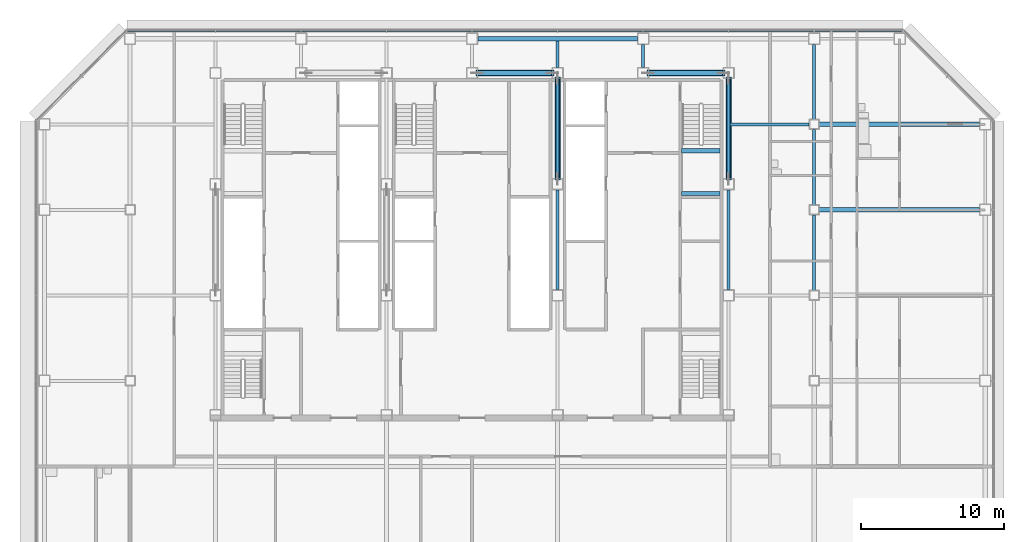
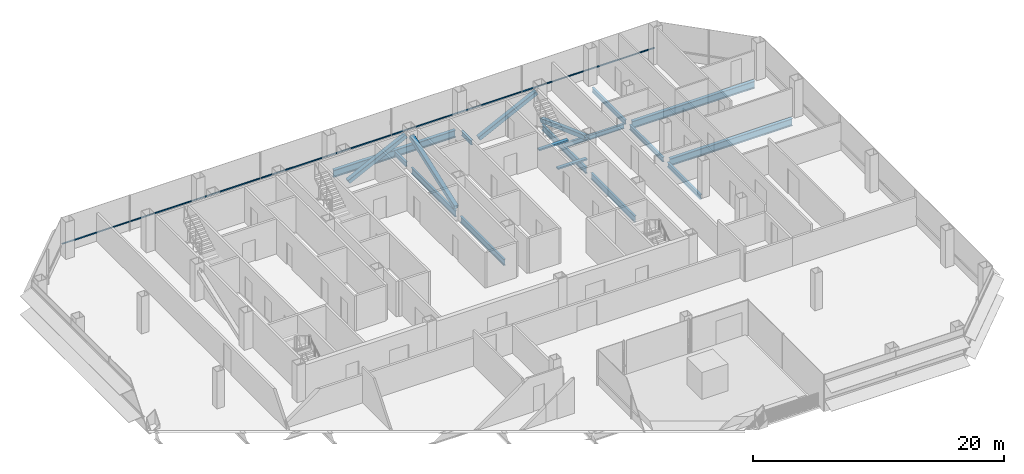
# One storey, part 12 of 26: 15 beams, 5 members, 1 element without a shape of its own.
"""IFC4 building model written with IfcOpenShell, lengths in metres."""

import ifcopenshell
import ifcopenshell.guid

model = None  # the IFC model being written
_history = None  # IfcOwnerHistory: only IFC2X3 demands one
_inside = {}  # id of a spatial element -> (the spatial element, [elements in it])
_under = {}  # id of a project, library or spatial element -> (it, [spatial elements below it])
_declared = {}  # id of a project -> (the project, [libraries it declares])
_typed = {}  # id of a type object -> (the type object, [elements of that type])
_made_of = {}  # id of a material, layer set ... -> (it, [elements and type objects made of it])


def new_model(schema):
    """Start an empty IFC model of exactly this schema.

    Asked for "IFC4X3", IfcOpenShell would pick the latest addendum, in which some entities
    have other attributes; the version numbers below select the first issue.
    IFC2X3 requires an IfcOwnerHistory on every rooted entity: one is made here for all.
    """
    global model, _history
    if schema == "IFC4X3":
        model = ifcopenshell.file(schema_version=(4, 3, 0, 0))
    else:
        model = ifcopenshell.file(schema=schema)
    _inside.clear()
    _under.clear()
    _declared.clear()
    _typed.clear()
    _made_of.clear()
    _history = None
    if model.schema == "IFC2X3":
        org = make("IfcOrganization", Name="unknown")
        user = make(
            "IfcPersonAndOrganization",
            ThePerson=make("IfcPerson", FamilyName="unknown"),
            TheOrganization=org,
        )
        app = make(
            "IfcApplication",
            ApplicationDeveloper=org,
            Version="unknown",
            ApplicationFullName="unknown",
            ApplicationIdentifier="unknown",
        )
        _history = make(
            "IfcOwnerHistory",
            OwningUser=user,
            OwningApplication=app,
            ChangeAction="ADDED",
            CreationDate=0,
        )
    return model


def make(cls, **values):
    """One entity of the class cls with the attributes given. An attribute that is None is left unset."""
    return model.create_entity(
        cls, **{name: value for name, value in values.items() if value is not None}
    )


def rooted(cls, **values):
    """An entity with a GlobalId (a new one), such as an element, a storey or a relation."""
    return make(cls, GlobalId=ifcopenshell.guid.new(), OwnerHistory=_history, **values)


def si_unit(unit_type, name, prefix=None):
    """IfcSIUnit, for example si_unit("LENGTHUNIT", "METRE", prefix="MILLI")."""
    return make("IfcSIUnit", UnitType=unit_type, Prefix=prefix, Name=name)


def assignment(units):
    """IfcUnitAssignment: the units of a project."""
    return None if units is None else make("IfcUnitAssignment", Units=units)


def point(xyz):
    """IfcCartesianPoint."""
    return None if xyz is None else make("IfcCartesianPoint", Coordinates=xyz)


def direction(xyz):
    """IfcDirection."""
    return None if xyz is None else make("IfcDirection", DirectionRatios=xyz)


def frame(location, z_axis=None, x_axis=None):
    """IfcAxis2Placement3D, a coordinate frame: its origin and axes. An axis left out is left unset."""
    return make(
        "IfcAxis2Placement3D",
        Location=point(location),
        Axis=direction(z_axis),
        RefDirection=direction(x_axis),
    )


def frame_2d(location, x_axis=None):
    """IfcAxis2Placement2D, a coordinate frame in the plane: its origin and x axis."""
    return make(
        "IfcAxis2Placement2D", Location=point(location), RefDirection=direction(x_axis)
    )


def origin():
    """The frame at (0, 0, 0) with its axes left unset."""
    return frame((0.0, 0.0, 0.0))


def origin_2d():
    """The frame at (0, 0) in the plane with its x axis left unset."""
    return frame_2d((0.0, 0.0))


def place(relative_to, where):
    """IfcLocalPlacement: puts the frame where relative to a parent placement (None: the world)."""
    return make(
        "IfcLocalPlacement", PlacementRelTo=relative_to, RelativePlacement=where
    )


def context(
    kind, dimensions, precision=None, world=None, true_north=None, identifier=None
):
    """IfcGeometricRepresentationContext, for example the 3D "Model" context."""
    return make(
        "IfcGeometricRepresentationContext",
        ContextIdentifier=identifier,
        ContextType=kind,
        CoordinateSpaceDimension=dimensions,
        Precision=precision,
        WorldCoordinateSystem=world,
        TrueNorth=true_north,
    )


def subcontext(parent, identifier, kind, view, scale=None):
    """IfcGeometricRepresentationSubContext, for example "Body" below "Model"."""
    return make(
        "IfcGeometricRepresentationSubContext",
        ContextIdentifier=identifier,
        ContextType=kind,
        ParentContext=parent,
        TargetScale=scale,
        TargetView=view,
    )


def project(units=None, contexts=None):
    """IfcProject with its units and contexts."""
    return rooted(
        "IfcProject",
        Name="project",
        RepresentationContexts=contexts,
        UnitsInContext=assignment(units),
    )


def spatial(cls, under=None, at=None, **own):
    """A site, building, storey or space (cls), placed at a placement, below another one or the project."""
    s = rooted(cls, ObjectPlacement=at, **own)
    if under is not None:
        _under.setdefault(under.id(), (under, []))[1].append(s)
    return s


def profile(cls, at=None, kind="AREA", **sizes):
    """A parametric profile (cls). Its sizes go by their IFC names, for example OverallWidth=200.0."""
    return make(cls, ProfileType=kind, Position=at, **sizes)


def rectangle(**sizes):
    """IfcRectangleProfileDef."""
    return profile("IfcRectangleProfileDef", **sizes)


def hollow_rectangle(**sizes):
    """IfcRectangleHollowProfileDef."""
    return profile("IfcRectangleHollowProfileDef", **sizes)


def i_section(**sizes):
    """IfcIShapeProfileDef."""
    return profile("IfcIShapeProfileDef", **sizes)


def extrude(swept, where, along, depth):
    """IfcExtrudedAreaSolid: the profile swept, set in the frame where, extruded along a direction by depth."""
    return make(
        "IfcExtrudedAreaSolid",
        SweptArea=swept,
        Position=where,
        ExtrudedDirection=direction(along),
        Depth=depth,
    )


def shape(context_of_items, identifier, shape_type, items):
    """IfcShapeRepresentation: the items that make up one representation, for example the "Body"."""
    return make(
        "IfcShapeRepresentation",
        ContextOfItems=context_of_items,
        RepresentationIdentifier=identifier,
        RepresentationType=shape_type,
        Items=items,
    )


def material(Name=None, Category=None):
    """IfcMaterial."""
    return make("IfcMaterial", Name=Name, Category=Category)


def material_profile(
    of_material, cross_section, Name=None, Category=None, Priority=None
):
    """IfcMaterialProfile: a cross section and its material."""
    return make(
        "IfcMaterialProfile",
        Name=Name,
        Material=of_material,
        Profile=cross_section,
        Priority=Priority,
        Category=Category,
    )


def profile_set(profiles, Name=None, composite=None):
    """IfcMaterialProfileSet."""
    return make(
        "IfcMaterialProfileSet",
        Name=Name,
        MaterialProfiles=profiles,
        CompositeProfile=composite,
    )


def made_of(thing, what):
    """Note that an element or type object is made of a material, layer set ...; save() writes the relation."""
    if what is not None:
        _made_of.setdefault(what.id(), (what, []))[1].append(thing)
    return thing


def type_object(cls, material=None, **own):
    """A type object (cls), such as IfcWallType, which elements share."""
    return made_of(rooted(cls, **own), material)


def element(
    cls,
    number,
    at=None,
    inside=None,
    cuts=None,
    type_object=None,
    material=None,
    context=None,
    identifier="Body",
    shape_type=None,
    held_by="IfcProductDefinitionShape",
    body=None,
    shapes=None,
    **own,
):
    """One element of the class cls, such as IfcWall. Its Tag is "e" and its number.

    at: its placement. inside: the storey or other place that contains it. cuts: it is an
    opening in that element (IfcRelVoidsElement). A single representation is given by context,
    identifier, shape_type and body (its items); several are given by shapes. held_by: the class
    of the entity that holds the representations. save() writes the other relations.
    """
    e = rooted(cls, Tag="e%d" % number, ObjectPlacement=at, **own)
    if body is not None:
        shapes = [shape(context, identifier, shape_type, body)]
    if shapes is not None:
        e.Representation = make(held_by, Representations=shapes)
    if inside is not None:
        _inside.setdefault(inside.id(), (inside, []))[1].append(e)
    if cuts is not None:
        rooted(
            "IfcRelVoidsElement", RelatingBuildingElement=cuts, RelatedOpeningElement=e
        )
    if type_object is not None:
        _typed.setdefault(type_object.id(), (type_object, []))[1].append(e)
    return made_of(e, material)


def aggregate(whole, parts):
    """IfcRelAggregates: a whole, such as a stair, and the parts it consists of."""
    return rooted("IfcRelAggregates", RelatingObject=whole, RelatedObjects=parts)


def save(model, path):
    """Write the relations noted so far, then the file.

    IfcRelAggregates (storeys below a building ...), IfcRelContainedInSpatialStructure (elements
    in a storey), IfcRelDefinesByType, IfcRelAssociatesMaterial and IfcRelDeclares: one each for
    every whole, place, type object, material and project.
    """
    for whole, parts in _under.values():
        aggregate(whole, parts)
    for where, things in _inside.values():
        rooted(
            "IfcRelContainedInSpatialStructure",
            RelatedElements=things,
            RelatingStructure=where,
        )
    for kind, things in _typed.values():
        rooted("IfcRelDefinesByType", RelatedObjects=things, RelatingType=kind)
    for what, things in _made_of.values():
        rooted("IfcRelAssociatesMaterial", RelatedObjects=things, RelatingMaterial=what)
    for by, libraries in _declared.values():
        rooted("IfcRelDeclares", RelatingContext=by, RelatedDefinitions=libraries)
    model.write(path)


model = new_model("IFC4")

# Units and contexts
model_context = context("Model", 3, precision=1e-05, world=origin(), true_north=direction((0.0, 1.0)))
body_context = subcontext(model_context, "Body", "Model", "MODEL_VIEW")
ifc_project = project(units=[si_unit("LENGTHUNIT", "METRE"), si_unit("AREAUNIT", "SQUARE_METRE"), si_unit("VOLUMEUNIT", "CUBIC_METRE"), si_unit("PLANEANGLEUNIT", "RADIAN"), si_unit("MASSUNIT", "GRAM", prefix="KILO")], contexts=[model_context])

# Site, building, storey
site_placement = place(None, origin())
site = spatial("IfcSite", under=ifc_project, at=site_placement, CompositionType="ELEMENT")
building_placement = place(site_placement, origin())
building = spatial("IfcBuilding", under=site, at=building_placement, Name="Sorahane Residences", CompositionType="ELEMENT")
storey_placement = place(building_placement, frame((0.0, 0.0, 103.39990234375)))
storey = spatial("IfcBuildingStorey", under=building, at=storey_placement, Name="L22", CompositionType="ELEMENT", Elevation=103.39990234375)

# Members
ifc_material_1 = material(Name="Steel Q355B", Category="steel")
ifc_material_profile_1 = material_profile(ifc_material_1, hollow_rectangle(XDim=0.39990234375, YDim=0.39990234375, WallThickness=0.02001953125, InnerFilletRadius=0.010009765625, OuterFilletRadius=0.030029296875, at=origin_2d()), Name="RHS 400x400x20")
ifc_profile_set_1 = profile_set([ifc_material_profile_1], Name="Steel Q355B")
member_type_1 = type_object("IfcMemberType", Name="Core brace RHS 400x400x20 Q355B", PredefinedType="BRACE", material=ifc_profile_set_1)
for number, where, z_axis, x_axis, name in (
    (1, (24.346923828125, 45.60009765625, 0.173828125), (0.896480070819, 0.0, 0.443084058192), (0.0, 1.0, 0.0), "Core brace L22 y45.6-4"),
    (2, (36.346923828125, 45.60009765625, 0.173828125), (0.896480070819, 0.0, 0.443084058192), (0.0, 1.0, 0.0), "Core brace L22 y45.6-6"),
):
    element("IfcMember", number, at=place(storey_placement, frame(where, z_axis=z_axis, x_axis=x_axis)), inside=storey, type_object=member_type_1, Name=name, PredefinedType="BRACE", context=body_context, shape_type="SweptSolid", body=[
        extrude(hollow_rectangle(XDim=0.39990234375, YDim=0.39990234375, WallThickness=0.02001953125, InnerFilletRadius=0.010009765625, OuterFilletRadius=0.030029296875, at=origin_2d()), origin(), (0.0, 0.0, 1.0), 5.9189453125),
    ])
for number, where, z_axis, x_axis, name in (
    (3, (42.0, 45.241455078125, 0.184814453125), (0.0, -0.938723182636, 0.344671998257), (1.0, 0.0, 0.0), "Core brace L22 x42-3"),
    (4, (30.0, 38.15869140625, 0.184814453125), (0.0, 0.938723182636, 0.344671998257), (-1.0, 0.0, 0.0), "Core brace L22 x30-2"),
):
    element("IfcMember", number, at=place(storey_placement, frame(where, z_axis=z_axis, x_axis=x_axis)), inside=storey, type_object=member_type_1, Name=name, PredefinedType="BRACE", context=body_context, shape_type="SweptSolid", body=[
        extrude(hollow_rectangle(XDim=0.39990234375, YDim=0.39990234375, WallThickness=0.02001953125, InnerFilletRadius=0.010009765625, OuterFilletRadius=0.030029296875, at=origin_2d()), origin(), (0.0, 0.0, 1.0), 7.545166015625),
    ])

# Curtain wall, member
ifc_material_2 = material(Name="Dark low-e glass and black anodised aluminium", Category="aluminium")
curtain_wall_type = type_object("IfcCurtainWallType", Name="Curtain wall CW-1 Typical unitised wall", PredefinedType="NOTDEFINED", material=ifc_material_2)
curtain_wall_placement = place(storey_placement, origin())
curtain_wall = element("IfcCurtainWall", 5, at=curtain_wall_placement, inside=storey, type_object=curtain_wall_type, Name="CW-1 curtain wall L22 N1", PredefinedType="NOTDEFINED")
ifc_material_3 = material(Name="Black anodised aluminium", Category="aluminium")
ifc_material_profile_2 = material_profile(ifc_material_3, rectangle(XDim=0.10009765625, YDim=0.06005859375, at=origin_2d()), Name="Curtain wall transom CW-1 black anodised aluminium 60x100")
ifc_profile_set_2 = profile_set([ifc_material_profile_2], Name="Black anodised aluminium")
member_type_2 = type_object("IfcMemberType", Name="Curtain wall transom CW-1 black anodised aluminium 60x100", PredefinedType="USERDEFINED", material=ifc_profile_set_2)
member_placement = place(storey_placement, frame((54.198486328125, 48.530029296875, 0.900146484375), z_axis=(-1.0, 0.0, 0.0), x_axis=(0.0, -1.0, 0.0)))
member = element("IfcMember", 6, at=member_placement, type_object=member_type_2, Name="CW-1 transom L22 N1", ObjectType="TRANSOM", PredefinedType="USERDEFINED", context=body_context, shape_type="SweptSolid", body=[
    extrude(rectangle(XDim=0.10009765625, YDim=0.06005859375, at=origin_2d()), origin(), (0.0, 0.0, 1.0), 54.39697265625),
])
aggregate(curtain_wall, [member])

# Beams
ifc_material_4 = material(Name="Concrete C40", Category="concrete")
ifc_material_profile_3 = material_profile(ifc_material_4, rectangle(XDim=0.300048828125, YDim=0.139892578125, at=origin_2d()), Name="300x140")
ifc_profile_set_3 = profile_set([ifc_material_profile_3], Name="Concrete C40")
beam_type_1 = type_object("IfcBeamType", Name="RC landing beam 300 x 140 Concrete C40", PredefinedType="BEAM", material=ifc_profile_set_3)
for number, where, z_axis, x_axis, name in (
    (7, (38.699951171875, 37.14990234375, 1.530029296875), (1.0, 0.0, 0.0), (0.0, 1.0, 0.0), "Landing beam"),
    (8, (38.699951171875, 40.14990234375, 1.530029296875), (1.0, 0.0, 0.0), (0.0, 1.0, 0.0), "Landing beam"),
):
    element("IfcBeam", number, at=place(storey_placement, frame(where, z_axis=z_axis, x_axis=x_axis)), inside=storey, type_object=beam_type_1, Name=name, PredefinedType="BEAM", context=body_context, shape_type="SweptSolid", body=[
        extrude(rectangle(XDim=0.300048828125, YDim=0.139892578125, at=origin_2d()), origin(), (0.0, 0.0, 1.0), 2.699951171875),
    ])
ifc_material_5 = material(Name="Steel Q355B", Category="steel")
ifc_material_profile_4 = material_profile(ifc_material_5, i_section(OverallWidth=0.199951171875, OverallDepth=0.449951171875, WebThickness=0.009033203125, FlangeThickness=0.013916015625, FilletRadius=0.02001953125, at=origin_2d()), Name="HN 450x200x9x14")
ifc_profile_set_4 = profile_set([ifc_material_profile_4], Name="Steel Q355B")
beam_type_2 = type_object("IfcBeamType", Name="Steel floor beam HN 450x200x9x14 Q355B", PredefinedType="BEAM", material=ifc_profile_set_4)
beam_1_placement = place(storey_placement, frame((30.0, 46.0, -0.40478515625), z_axis=(0.0, 1.0, 0.0), x_axis=(-1.0, 0.0, 0.0)))
element("IfcBeam", 9, at=beam_1_placement, inside=storey, type_object=beam_type_2, Name="Beam L22 047", PredefinedType="BEAM", context=body_context, shape_type="SweptSolid", body=[
    extrude(i_section(OverallWidth=0.199951171875, OverallDepth=0.449951171875, WebThickness=0.009033203125, FlangeThickness=0.013916015625, FilletRadius=0.02001953125, at=origin_2d()), origin(), (0.0, 0.0, 1.0), 1.85009765625),
])
beam_2_placement = place(storey_placement, frame((36.0, 46.0, -0.40478515625), z_axis=(0.0, 1.0, 0.0), x_axis=(-1.0, 0.0, 0.0)))
element("IfcBeam", 10, at=beam_2_placement, inside=storey, type_object=beam_type_2, Name="Beam L22 049", PredefinedType="BEAM", context=body_context, shape_type="SweptSolid", body=[
    extrude(i_section(OverallWidth=0.199951171875, OverallDepth=0.449951171875, WebThickness=0.009033203125, FlangeThickness=0.013916015625, FilletRadius=0.02001953125, at=origin_2d()), origin(), (0.0, 0.0, 1.0), 1.60009765625),
])
for number, where, z_axis, x_axis, name in (
    (11, (48.0, 30.35009765625, -0.40478515625), (0.0, 1.0, 0.0), (-1.0, 0.0, 0.0), "Beam L22 058"),
    (12, (48.0, 36.35009765625, -0.40478515625), (0.0, 1.0, 0.0), (-1.0, 0.0, 0.0), "Beam L22 059"),
):
    element("IfcBeam", number, at=place(storey_placement, frame(where, z_axis=z_axis, x_axis=x_axis)), inside=storey, type_object=beam_type_2, Name=name, PredefinedType="BEAM", context=body_context, shape_type="SweptSolid", body=[
        extrude(i_section(OverallWidth=0.199951171875, OverallDepth=0.449951171875, WebThickness=0.009033203125, FlangeThickness=0.013916015625, FilletRadius=0.02001953125, at=origin_2d()), origin(), (0.0, 0.0, 1.0), 5.2998046875),
    ])
beam_3_placement = place(storey_placement, frame((48.0, 42.35009765625, -0.40478515625), z_axis=(0.0, 1.0, 0.0), x_axis=(-1.0, 0.0, 0.0)))
element("IfcBeam", 13, at=beam_3_placement, inside=storey, type_object=beam_type_2, Name="Beam L22 060", PredefinedType="BEAM", context=body_context, shape_type="SweptSolid", body=[
    extrude(i_section(OverallWidth=0.199951171875, OverallDepth=0.449951171875, WebThickness=0.009033203125, FlangeThickness=0.013916015625, FilletRadius=0.02001953125, at=origin_2d()), origin(), (0.0, 0.0, 1.0), 5.25),
])
beam_4_placement = place(storey_placement, frame((42.10009765625, 42.0, -0.40478515625), z_axis=(1.0, 0.0, 0.0), x_axis=(0.0, 1.0, 0.0)))
element("IfcBeam", 14, at=beam_4_placement, inside=storey, type_object=beam_type_2, Name="Beam L22 086", PredefinedType="BEAM", context=body_context, shape_type="SweptSolid", body=[
    extrude(i_section(OverallWidth=0.199951171875, OverallDepth=0.449951171875, WebThickness=0.009033203125, FlangeThickness=0.013916015625, FilletRadius=0.02001953125, at=origin_2d()), origin(), (0.0, 0.0, 1.0), 5.5498046875),
])
ifc_material_6 = material(Name="Steel Q355B", Category="steel")
ifc_material_profile_5 = material_profile(ifc_material_6, i_section(OverallWidth=0.199951171875, OverallDepth=0.60009765625, WebThickness=0.010986328125, FlangeThickness=0.01708984375, FilletRadius=0.02392578125, at=origin_2d()), Name="HN 600x200x11x17")
ifc_profile_set_5 = profile_set([ifc_material_profile_5], Name="Steel Q355B")
beam_type_3 = type_object("IfcBeamType", Name="Steel floor beam HN 600x200x11x17 Q355B", PredefinedType="BEAM", material=ifc_profile_set_5)
for number, where, z_axis, x_axis, name in (
    (15, (30.0, 30.39990234375, -0.47998046875), (0.0, 1.0, 0.0), (-1.0, 0.0, 0.0), "Beam L22 045"),
    (16, (30.0, 38.199951171875, -0.47998046875), (0.0, 1.0, 0.0), (-1.0, 0.0, 0.0), "Beam L22 046"),
    (17, (42.0, 30.39990234375, -0.47998046875), (0.0, 1.0, 0.0), (-1.0, 0.0, 0.0), "Beam L22 052"),
    (18, (42.0, 38.199951171875, -0.47998046875), (0.0, 1.0, 0.0), (-1.0, 0.0, 0.0), "Beam L22 053"),
):
    element("IfcBeam", number, at=place(storey_placement, frame(where, z_axis=z_axis, x_axis=x_axis)), inside=storey, type_object=beam_type_3, Name=name, PredefinedType="BEAM", context=body_context, shape_type="SweptSolid", body=[
        extrude(i_section(OverallWidth=0.199951171875, OverallDepth=0.60009765625, WebThickness=0.010986328125, FlangeThickness=0.01708984375, FilletRadius=0.02392578125, at=origin_2d()), origin(), (0.0, 0.0, 1.0), 7.0),
    ])
ifc_material_7 = material(Name="Steel Q355B", Category="steel")
ifc_material_profile_6 = material_profile(ifc_material_7, i_section(OverallWidth=0.300048828125, OverallDepth=0.699951171875, WebThickness=0.012939453125, FlangeThickness=0.02392578125, FilletRadius=0.028076171875, at=origin_2d()), Name="HN 700x300x13x24")
ifc_profile_set_6 = profile_set([ifc_material_profile_6], Name="Steel Q355B")
beam_type_4 = type_object("IfcBeamType", Name="Steel floor beam HN 700x300x13x24 Q355B", PredefinedType="BEAM", material=ifc_profile_set_6)
beam_5_placement = place(storey_placement, frame((48.35009765625, 36.0, -0.52978515625), z_axis=(1.0, 0.0, 0.0), x_axis=(0.0, 1.0, 0.0)))
element("IfcBeam", 19, at=beam_5_placement, inside=storey, type_object=beam_type_4, Name="Beam L22 013", PredefinedType="BEAM", context=body_context, shape_type="SweptSolid", body=[
    extrude(i_section(OverallWidth=0.300048828125, OverallDepth=0.699951171875, WebThickness=0.012939453125, FlangeThickness=0.02392578125, FilletRadius=0.028076171875, at=origin_2d()), origin(), (0.0, 0.0, 1.0), 11.25),
])
beam_6_placement = place(storey_placement, frame((24.39990234375, 48.0, -0.52978515625), z_axis=(1.0, 0.0, 0.0), x_axis=(0.0, 1.0, 0.0)))
element("IfcBeam", 20, at=beam_6_placement, inside=storey, type_object=beam_type_4, Name="Beam L22 016", PredefinedType="BEAM", context=body_context, shape_type="SweptSolid", body=[
    extrude(i_section(OverallWidth=0.300048828125, OverallDepth=0.699951171875, WebThickness=0.012939453125, FlangeThickness=0.02392578125, FilletRadius=0.028076171875, at=origin_2d()), origin(), (0.0, 0.0, 1.0), 11.2001953125),
])
beam_7_placement = place(storey_placement, frame((48.35009765625, 42.0, -0.52978515625), z_axis=(1.0, 0.0, 0.0), x_axis=(0.0, 1.0, 0.0)))
element("IfcBeam", 21, at=beam_7_placement, inside=storey, type_object=beam_type_4, Name="Beam L22 087", PredefinedType="BEAM", context=body_context, shape_type="SweptSolid", body=[
    extrude(i_section(OverallWidth=0.300048828125, OverallDepth=0.699951171875, WebThickness=0.012939453125, FlangeThickness=0.02392578125, FilletRadius=0.028076171875, at=origin_2d()), origin(), (0.0, 0.0, 1.0), 11.25),
])

save(model, "model.ifc")
